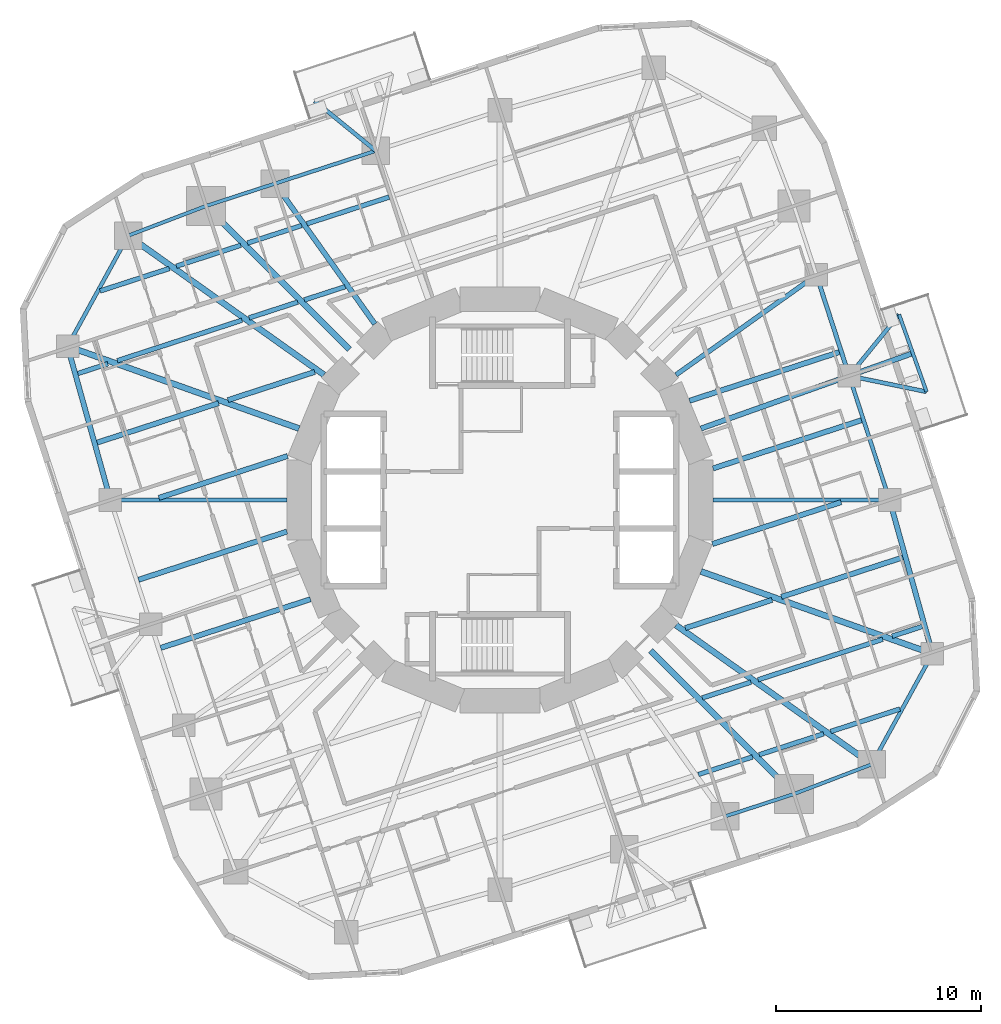
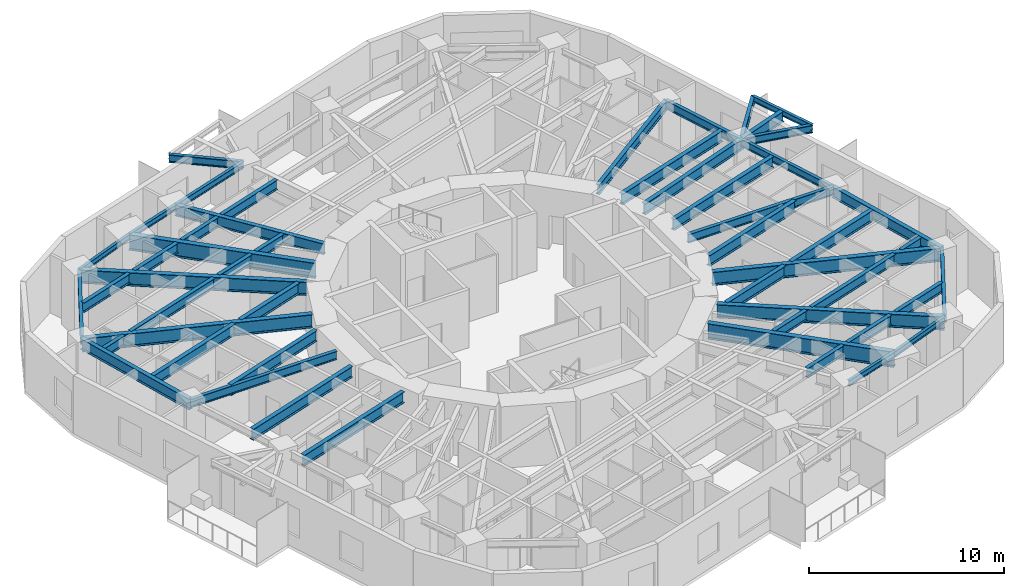
# One storey, part 2 of 12: 50 beams.
"""IFC4 building model written with IfcOpenShell, lengths in metres."""

from ifc_helpers import new_model, si_unit, direction, frame, origin, origin_2d, place, context, subcontext, project, spatial, i_section, extrude, material, material_profile, profile_set, type_object, element, save


model = new_model("IFC4")

# Units and contexts
model_context = context("Model", 3, precision=1e-05, world=origin(), true_north=direction((0.0, 1.0)))
body_context = subcontext(model_context, "Body", "Model", "MODEL_VIEW")
ifc_project = project(units=[si_unit("LENGTHUNIT", "METRE"), si_unit("AREAUNIT", "SQUARE_METRE"), si_unit("VOLUMEUNIT", "CUBIC_METRE"), si_unit("PLANEANGLEUNIT", "RADIAN"), si_unit("MASSUNIT", "GRAM", prefix="KILO")], contexts=[model_context])

# Site, building, storey
site_placement = place(None, origin())
site = spatial("IfcSite", under=ifc_project, at=site_placement, CompositionType="ELEMENT")
building_placement = place(site_placement, origin())
building = spatial("IfcBuilding", under=site, at=building_placement, Name="Nakasero Lantern House", CompositionType="ELEMENT")
storey_placement = place(building_placement, frame((0.0, 0.0, 153.35009765625)))
storey = spatial("IfcBuildingStorey", under=building, at=storey_placement, Name="L37", CompositionType="ELEMENT", Elevation=153.35009765625)

# Beams
ifc_material_1 = material(Name="Steel S355", Category="steel")
ifc_material_profile_1 = material_profile(ifc_material_1, i_section(OverallWidth=0.199462890625, OverallDepth=0.491943359375, WebThickness=0.01806640625, FlangeThickness=0.031982421875, FilletRadius=0.01025390625, at=origin_2d()), Name="UB 457x191x161")
ifc_profile_set_1 = profile_set([ifc_material_profile_1], Name="Steel S355")
beam_type_1 = type_object("IfcBeamType", Name="Balcony splay beam UB 457x191x161", PredefinedType="BEAM", material=ifc_profile_set_1)
for number, where, z_axis, x_axis, name in (
    (1, (17.060546875, 6.06591796875, 3.40380859375), (0.632127727159, 0.774864205236, 0.0), (-0.774864205236, 0.632127727159, 0.0), "Balcony splay beam L38 B4-C04A"),
    (2, (17.060546875, 6.06591796875, 3.40380859375), (0.979420272605, -0.201831438605, 0.0), (0.201831438605, 0.979420272605, 0.0), "Balcony splay beam L38 B4-C04B"),
    (3, (-6.06591796875, 17.060546875, 3.40380859375), (-0.774864205236, 0.632127727159, 0.0), (-0.632127727159, -0.774864205236, 0.0), "Balcony splay beam L38 B4-C10A"),
):
    element("IfcBeam", number, at=place(storey_placement, frame(where, z_axis=z_axis, x_axis=x_axis)), inside=storey, type_object=beam_type_1, Name=name, PredefinedType="BEAM", context=body_context, shape_type="SweptSolid", body=[
        extrude(i_section(OverallWidth=0.199462890625, OverallDepth=0.491943359375, WebThickness=0.01806640625, FlangeThickness=0.031982421875, FilletRadius=0.01025390625, at=origin_2d()), origin(), (0.0, 0.0, 1.0), 3.858642578125),
    ])
ifc_material_2 = material(Name="Steel S355", Category="steel")
ifc_material_profile_2 = material_profile(ifc_material_2, i_section(OverallWidth=0.17138671875, OverallDepth=0.35498046875, WebThickness=0.00732421875, FlangeThickness=0.011474609375, FilletRadius=0.01025390625, at=origin_2d()), Name="UB 356x171x51")
ifc_profile_set_2 = profile_set([ifc_material_profile_2], Name="Steel S355")
beam_type_2 = type_object("IfcBeamType", Name="Balcony tie beam UB 356x171x51", PredefinedType="BEAM", material=ifc_profile_set_2)
beam_1_placement = place(storey_placement, frame((19.499755859375, 9.055908203125, 3.472412109375), z_axis=(0.335025321236, -0.942209124415, 0.0), x_axis=(0.942209124415, 0.335025321236, 0.0)))
element("IfcBeam", 4, at=beam_1_placement, inside=storey, type_object=beam_type_2, Name="Balcony tie beam L38 B4-C04", PredefinedType="BEAM", context=body_context, shape_type="SweptSolid", body=[
    extrude(i_section(OverallWidth=0.17138671875, OverallDepth=0.35498046875, WebThickness=0.00732421875, FlangeThickness=0.011474609375, FilletRadius=0.01025390625, at=origin_2d()), origin(), (0.0, 0.0, 1.0), 4.0),
])
ifc_material_3 = material(Name="Steel S355", Category="steel")
ifc_material_profile_3 = material_profile(ifc_material_3, i_section(OverallWidth=0.22900390625, OverallDepth=0.6123046875, WebThickness=0.011962890625, FlangeThickness=0.01953125, FilletRadius=0.0126953125, at=origin_2d()), Name="UB 610x229x125")
ifc_profile_set_3 = profile_set([ifc_material_profile_3], Name="Steel S355")
beam_type_3 = type_object("IfcBeamType", Name="Infill beam UB 610x229x125", PredefinedType="JOIST", material=ifc_profile_set_3)
beam_2_placement = place(storey_placement, frame((9.692626953125, -13.4111328125, 3.34375), z_axis=(0.951059855583, 0.309006716915, 0.0), x_axis=(-0.309006716915, 0.951059855583, 0.0)))
element("IfcBeam", 5, at=beam_2_placement, inside=storey, type_object=beam_type_3, Name="Infill beam L38 03.5", PredefinedType="JOIST", context=body_context, shape_type="SweptSolid", body=[
    extrude(i_section(OverallWidth=0.22900390625, OverallDepth=0.6123046875, WebThickness=0.011962890625, FlangeThickness=0.01953125, FilletRadius=0.0126953125, at=origin_2d()), origin(), (0.0, 0.0, 1.0), 2.78271484375),
])
beam_3_placement = place(storey_placement, frame((12.659423828125, -12.447265625, 3.34375), z_axis=(0.951057343237, 0.309014449297, 0.0), x_axis=(-0.309014449297, 0.951057343237, 0.0)))
element("IfcBeam", 6, at=beam_3_placement, inside=storey, type_object=beam_type_3, Name="Infill beam L38 03.6", PredefinedType="JOIST", context=body_context, shape_type="SweptSolid", body=[
    extrude(i_section(OverallWidth=0.22900390625, OverallDepth=0.6123046875, WebThickness=0.011962890625, FlangeThickness=0.01953125, FilletRadius=0.0126953125, at=origin_2d()), origin(), (0.0, 0.0, 1.0), 3.314208984375),
])
beam_4_placement = place(storey_placement, frame((16.15771484375, -11.310546875, 3.34375), z_axis=(0.951052231022, 0.309030182777, 0.0), x_axis=(-0.309030182777, 0.951052231022, 0.0)))
element("IfcBeam", 7, at=beam_4_placement, inside=storey, type_object=beam_type_3, Name="Infill beam L38 03.7", PredefinedType="JOIST", context=body_context, shape_type="SweptSolid", body=[
    extrude(i_section(OverallWidth=0.22900390625, OverallDepth=0.6123046875, WebThickness=0.011962890625, FlangeThickness=0.01953125, FilletRadius=0.0126953125, at=origin_2d()), origin(), (0.0, 0.0, 1.0), 3.555908203125),
])
beam_5_placement = place(storey_placement, frame((9.8818359375, -9.669677734375, 3.34375), z_axis=(0.95105846813, 0.30901098718, 0.0), x_axis=(-0.30901098718, 0.95105846813, 0.0)))
element("IfcBeam", 8, at=beam_5_placement, inside=storey, type_object=beam_type_3, Name="Infill beam L38 04.6", PredefinedType="JOIST", context=body_context, shape_type="SweptSolid", body=[
    extrude(i_section(OverallWidth=0.22900390625, OverallDepth=0.6123046875, WebThickness=0.011962890625, FlangeThickness=0.01953125, FilletRadius=0.0126953125, at=origin_2d()), origin(), (0.0, 0.0, 1.0), 2.499755859375),
])
beam_6_placement = place(storey_placement, frame((12.605712890625, -8.78466796875, 3.34375), z_axis=(0.951048625867, 0.309041277561, 0.0), x_axis=(-0.309041277561, 0.951048625867, 0.0)))
element("IfcBeam", 9, at=beam_6_placement, inside=storey, type_object=beam_type_3, Name="Infill beam L38 04.7", PredefinedType="JOIST", context=body_context, shape_type="SweptSolid", body=[
    extrude(i_section(OverallWidth=0.22900390625, OverallDepth=0.6123046875, WebThickness=0.011962890625, FlangeThickness=0.01953125, FilletRadius=0.0126953125, at=origin_2d()), origin(), (0.0, 0.0, 1.0), 6.408447265625),
])
for number, where, z_axis, x_axis, name in (
    (10, (19.156494140625, -6.656005859375, 3.34375), (0.95105845859, 0.309011016544, 0.0), (-0.309011016544, 0.95105845859, 0.0), "Infill beam L38 04.8"),
    (11, (-20.62548828125, 6.1787109375, 3.34375), (0.95105845859, 0.309011016544, 0.0), (-0.309011016544, 0.95105845859, 0.0), "Infill beam L38 11.1"),
):
    element("IfcBeam", number, at=place(storey_placement, frame(where, z_axis=z_axis, x_axis=x_axis)), inside=storey, type_object=beam_type_3, Name=name, PredefinedType="JOIST", context=body_context, shape_type="SweptSolid", body=[
        extrude(i_section(OverallWidth=0.22900390625, OverallDepth=0.6123046875, WebThickness=0.011962890625, FlangeThickness=0.01953125, FilletRadius=0.0126953125, at=origin_2d()), origin(), (0.0, 0.0, 1.0), 1.544677734375),
    ])
beam_7_placement = place(storey_placement, frame((-18.700439453125, 6.80419921875, 3.34375), z_axis=(0.951048625867, 0.309041277561, 0.0), x_axis=(-0.309041277561, 0.951048625867, 0.0)))
element("IfcBeam", 12, at=beam_7_placement, inside=storey, type_object=beam_type_3, Name="Infill beam L38 11.2", PredefinedType="JOIST", context=body_context, shape_type="SweptSolid", body=[
    extrude(i_section(OverallWidth=0.22900390625, OverallDepth=0.6123046875, WebThickness=0.011962890625, FlangeThickness=0.01953125, FilletRadius=0.0126953125, at=origin_2d()), origin(), (0.0, 0.0, 1.0), 6.408447265625),
])
beam_8_placement = place(storey_placement, frame((-12.25927734375, 8.897216796875, 3.34375), z_axis=(0.95105846813, 0.30901098718, 0.0), x_axis=(-0.30901098718, 0.95105846813, 0.0)))
element("IfcBeam", 13, at=beam_8_placement, inside=storey, type_object=beam_type_3, Name="Infill beam L38 11.3", PredefinedType="JOIST", context=body_context, shape_type="SweptSolid", body=[
    extrude(i_section(OverallWidth=0.22900390625, OverallDepth=0.6123046875, WebThickness=0.011962890625, FlangeThickness=0.01953125, FilletRadius=0.0126953125, at=origin_2d()), origin(), (0.0, 0.0, 1.0), 2.499755859375),
])
beam_9_placement = place(storey_placement, frame((-9.5615234375, 9.773681640625, 3.34375), z_axis=(0.951053739923, 0.30902553904, 0.0), x_axis=(-0.30902553904, 0.951053739923, 0.0)))
element("IfcBeam", 14, at=beam_9_placement, inside=storey, type_object=beam_type_3, Name="Infill beam L38 11.4", PredefinedType="JOIST", context=body_context, shape_type="SweptSolid", body=[
    extrude(i_section(OverallWidth=0.22900390625, OverallDepth=0.6123046875, WebThickness=0.011962890625, FlangeThickness=0.01953125, FilletRadius=0.0126953125, at=origin_2d()), origin(), (0.0, 0.0, 1.0), 2.09765625),
])
beam_10_placement = place(storey_placement, frame((-19.53955078125, 10.211669921875, 3.34375), z_axis=(0.951052231022, 0.309030182777, 0.0), x_axis=(-0.309030182777, 0.951052231022, 0.0)))
element("IfcBeam", 15, at=beam_10_placement, inside=storey, type_object=beam_type_3, Name="Infill beam L38 12.1", PredefinedType="JOIST", context=body_context, shape_type="SweptSolid", body=[
    extrude(i_section(OverallWidth=0.22900390625, OverallDepth=0.6123046875, WebThickness=0.011962890625, FlangeThickness=0.01953125, FilletRadius=0.0126953125, at=origin_2d()), origin(), (0.0, 0.0, 1.0), 3.555908203125),
])
beam_11_placement = place(storey_placement, frame((-15.8115234375, 11.423095703125, 3.34375), z_axis=(0.951057343237, 0.309014449297, 0.0), x_axis=(-0.309014449297, 0.951057343237, 0.0)))
element("IfcBeam", 16, at=beam_11_placement, inside=storey, type_object=beam_type_3, Name="Infill beam L38 12.2", PredefinedType="JOIST", context=body_context, shape_type="SweptSolid", body=[
    extrude(i_section(OverallWidth=0.22900390625, OverallDepth=0.6123046875, WebThickness=0.011962890625, FlangeThickness=0.01953125, FilletRadius=0.0126953125, at=origin_2d()), origin(), (0.0, 0.0, 1.0), 3.314208984375),
])
beam_12_placement = place(storey_placement, frame((-12.339111328125, 12.55126953125, 3.34375), z_axis=(0.951059855583, 0.309006716915, 0.0), x_axis=(-0.309006716915, 0.951059855583, 0.0)))
element("IfcBeam", 17, at=beam_12_placement, inside=storey, type_object=beam_type_3, Name="Infill beam L38 12.3", PredefinedType="JOIST", context=body_context, shape_type="SweptSolid", body=[
    extrude(i_section(OverallWidth=0.22900390625, OverallDepth=0.6123046875, WebThickness=0.011962890625, FlangeThickness=0.01953125, FilletRadius=0.0126953125, at=origin_2d()), origin(), (0.0, 0.0, 1.0), 2.78271484375),
])
beam_13_placement = place(storey_placement, frame((-9.439697265625, 13.493408203125, 3.34375), z_axis=(0.951057398427, 0.30901427944, 0.0), x_axis=(-0.30901427944, 0.951057398427, 0.0)))
element("IfcBeam", 18, at=beam_13_placement, inside=storey, type_object=beam_type_3, Name="Infill beam L38 12.4", PredefinedType="JOIST", context=body_context, shape_type="SweptSolid", body=[
    extrude(i_section(OverallWidth=0.22900390625, OverallDepth=0.6123046875, WebThickness=0.011962890625, FlangeThickness=0.01953125, FilletRadius=0.0126953125, at=origin_2d()), origin(), (0.0, 0.0, 1.0), 4.229248046875),
])
ifc_material_4 = material(Name="Steel S355", Category="steel")
ifc_material_profile_4 = material_profile(ifc_material_4, i_section(OverallWidth=0.253662109375, OverallDepth=0.68359375, WebThickness=0.012451171875, FlangeThickness=0.01904296875, FilletRadius=0.01513671875, at=origin_2d()), Name="UB 686x254x140")
ifc_profile_set_4 = profile_set([ifc_material_profile_4], Name="Steel S355")
beam_type_4 = type_object("IfcBeamType", Name="Infill beam UB 686x254x140", PredefinedType="JOIST", material=ifc_profile_set_4)
beam_14_placement = place(storey_placement, frame((9.053466796875, -6.258544921875, 3.30810546875), z_axis=(0.951065863794, 0.308988224251, 0.0), x_axis=(-0.308988224251, 0.951065863794, 0.0)))
element("IfcBeam", 19, at=beam_14_placement, inside=storey, type_object=beam_type_4, Name="Infill beam L38 05.3", PredefinedType="JOIST", context=body_context, shape_type="SweptSolid", body=[
    extrude(i_section(OverallWidth=0.253662109375, OverallDepth=0.68359375, WebThickness=0.012451171875, FlangeThickness=0.01904296875, FilletRadius=0.01513671875, at=origin_2d()), origin(), (0.0, 0.0, 1.0), 4.45703125),
])
beam_15_placement = place(storey_placement, frame((13.74853515625, -4.733154296875, 3.30810546875), z_axis=(0.951058217804, 0.30901175762, 0.0), x_axis=(-0.30901175762, 0.951058217804, 0.0)))
element("IfcBeam", 20, at=beam_15_placement, inside=storey, type_object=beam_type_4, Name="Infill beam L38 05.4", PredefinedType="JOIST", context=body_context, shape_type="SweptSolid", body=[
    extrude(i_section(OverallWidth=0.253662109375, OverallDepth=0.68359375, WebThickness=0.012451171875, FlangeThickness=0.01904296875, FilletRadius=0.01513671875, at=origin_2d()), origin(), (0.0, 0.0, 1.0), 6.239990234375),
])
for number, where, z_axis, x_axis, name in (
    (21, (10.375244140625, -2.149169921875, 3.30810546875), (0.951051425994, 0.309032660271, 0.0), (-0.309032660271, 0.951051425994, 0.0), "Infill beam L38 06.2"),
    (22, (-16.666259765625, 0.10498046875, 3.30810546875), (0.951051425994, 0.309032660271, 0.0), (-0.309032660271, 0.951051425994, 0.0), "Infill beam L38 09.1"),
):
    element("IfcBeam", number, at=place(storey_placement, frame(where, z_axis=z_axis, x_axis=x_axis)), inside=storey, type_object=beam_type_4, Name=name, PredefinedType="JOIST", context=body_context, shape_type="SweptSolid", body=[
        extrude(i_section(OverallWidth=0.253662109375, OverallDepth=0.68359375, WebThickness=0.012451171875, FlangeThickness=0.01904296875, FilletRadius=0.01513671875, at=origin_2d()), origin(), (0.0, 0.0, 1.0), 6.61474609375),
    ])
beam_16_placement = place(storey_placement, frame((-19.68310546875, 2.804931640625, 3.30810546875), z_axis=(0.951058217804, 0.30901175762, 0.0), x_axis=(-0.30901175762, 0.951058217804, 0.0)))
element("IfcBeam", 23, at=beam_16_placement, inside=storey, type_object=beam_type_4, Name="Infill beam L38 10.1", PredefinedType="JOIST", context=body_context, shape_type="SweptSolid", body=[
    extrude(i_section(OverallWidth=0.253662109375, OverallDepth=0.68359375, WebThickness=0.012451171875, FlangeThickness=0.01904296875, FilletRadius=0.01513671875, at=origin_2d()), origin(), (0.0, 0.0, 1.0), 6.239990234375),
])
beam_17_placement = place(storey_placement, frame((-13.29248046875, 4.88134765625, 3.30810546875), z_axis=(0.951065863794, 0.308988224251, 0.0), x_axis=(-0.308988224251, 0.951065863794, 0.0)))
element("IfcBeam", 24, at=beam_17_placement, inside=storey, type_object=beam_type_4, Name="Infill beam L38 10.2", PredefinedType="JOIST", context=body_context, shape_type="SweptSolid", body=[
    extrude(i_section(OverallWidth=0.253662109375, OverallDepth=0.68359375, WebThickness=0.012451171875, FlangeThickness=0.01904296875, FilletRadius=0.01513671875, at=origin_2d()), origin(), (0.0, 0.0, 1.0), 4.45703125),
])
ifc_material_5 = material(Name="Steel S355", Category="steel")
ifc_material_profile_5 = material_profile(ifc_material_5, i_section(OverallWidth=0.255859375, OverallDepth=0.69287109375, WebThickness=0.014404296875, FlangeThickness=0.023681640625, FilletRadius=0.01513671875, at=origin_2d()), Name="UB 686x254x170")
ifc_profile_set_5 = profile_set([ifc_material_profile_5], Name="Steel S355")
beam_type_5 = type_object("IfcBeamType", Name="Infill beam UB 686x254x170", PredefinedType="JOIST", material=ifc_profile_set_5)
beam_18_placement = place(storey_placement, frame((-16.573486328125, -7.22509765625, 3.303466796875), z_axis=(0.951055290106, 0.309020768171, 0.0), x_axis=(-0.309020768171, 0.951055290106, 0.0)))
element("IfcBeam", 25, at=beam_18_placement, inside=storey, type_object=beam_type_5, Name="Infill beam L38 07.1", PredefinedType="JOIST", context=body_context, shape_type="SweptSolid", body=[
    extrude(i_section(OverallWidth=0.255859375, OverallDepth=0.69287109375, WebThickness=0.014404296875, FlangeThickness=0.023681640625, FilletRadius=0.01513671875, at=origin_2d()), origin(), (0.0, 0.0, 1.0), 7.692626953125),
])
for number, where, z_axis, x_axis, name in (
    (26, (10.407958984375, 1.541748046875, 3.303466796875), (0.95106204683, 0.308999972622, 0.0), (-0.308999972622, 0.95106204683, 0.0), "Infill beam L38 07.2"),
    (27, (-17.66455078125, -3.8994140625, 3.303466796875), (0.95106204683, 0.308999972622, 0.0), (-0.308999972622, 0.95106204683, 0.0), "Infill beam L38 08.1"),
):
    element("IfcBeam", number, at=place(storey_placement, frame(where, z_axis=z_axis, x_axis=x_axis)), inside=storey, type_object=beam_type_5, Name=name, PredefinedType="JOIST", context=body_context, shape_type="SweptSolid", body=[
        extrude(i_section(OverallWidth=0.255859375, OverallDepth=0.69287109375, WebThickness=0.014404296875, FlangeThickness=0.023681640625, FilletRadius=0.01513671875, at=origin_2d()), origin(), (0.0, 0.0, 1.0), 7.6298828125),
    ])
beam_19_placement = place(storey_placement, frame((9.25732421875, 4.847900390625, 3.303466796875), z_axis=(0.951055290106, 0.309020768171, 0.0), x_axis=(-0.309020768171, 0.951055290106, 0.0)))
element("IfcBeam", 28, at=beam_19_placement, inside=storey, type_object=beam_type_5, Name="Infill beam L38 08.2", PredefinedType="JOIST", context=body_context, shape_type="SweptSolid", body=[
    extrude(i_section(OverallWidth=0.255859375, OverallDepth=0.69287109375, WebThickness=0.014404296875, FlangeThickness=0.023681640625, FilletRadius=0.01513671875, at=origin_2d()), origin(), (0.0, 0.0, 1.0), 7.692626953125),
])
ifc_material_6 = material(Name="Steel S355", Category="steel")
ifc_material_profile_6 = material_profile(ifc_material_6, i_section(OverallWidth=0.300048828125, OverallDepth=0.97021484375, WebThickness=0.01611328125, FlangeThickness=0.02099609375, FilletRadius=0.030029296875, at=origin_2d()), Name="UB 1016x305x222")
ifc_profile_set_6 = profile_set([ifc_material_profile_6], Name="Steel S355")
beam_type_6 = type_object("IfcBeamType", Name="Primary beam UB 1016x305x222, span 9 to 12 m", PredefinedType="BEAM", material=ifc_profile_set_6)
for number, where, z_axis, x_axis, name in (
    (29, (-14.3642578125, 14.3642578125, 3.164794921875), (0.707106781187, -0.707106781187, 0.0), (0.707106781187, 0.707106781187, 0.0), "Primary beam L38 B4-C12"),
    (30, (14.3642578125, -14.3642578125, 3.164794921875), (-0.707106781187, 0.707106781187, 0.0), (-0.707106781187, -0.707106781187, 0.0), "Primary beam L38 B4-C24"),
):
    element("IfcBeam", number, at=place(storey_placement, frame(where, z_axis=z_axis, x_axis=x_axis)), inside=storey, type_object=beam_type_6, Name=name, PredefinedType="BEAM", context=body_context, shape_type="SweptSolid", body=[
        extrude(i_section(OverallWidth=0.300048828125, OverallDepth=0.97021484375, WebThickness=0.01611328125, FlangeThickness=0.02099609375, FilletRadius=0.030029296875, at=origin_2d()), origin(), (0.0, 0.0, 1.0), 9.906494140625),
    ])
ifc_material_7 = material(Name="Steel S355", Category="steel")
ifc_material_profile_7 = material_profile(ifc_material_7, i_section(OverallWidth=0.2099609375, OverallDepth=0.53662109375, WebThickness=0.0107421875, FlangeThickness=0.017333984375, FilletRadius=0.0126953125, at=origin_2d()), Name="UB 533x210x101")
ifc_profile_set_7 = profile_set([ifc_material_profile_7], Name="Steel S355")
beam_type_7 = type_object("IfcBeamType", Name="Primary beam UB 533x210x101, span 6 to 9 m", PredefinedType="BEAM", material=ifc_profile_set_7)
for number, where, z_axis, x_axis, name in (
    (31, (19.031494140625, 0.0, 3.381591796875), (-1.0, 0.0, 0.0), (0.0, -1.0, 0.0), "Primary beam L38 B4-C03"),
    (32, (-19.031494140625, 0.0, 3.381591796875), (1.0, 0.0, 0.0), (0.0, 1.0, 0.0), "Primary beam L38 B4-C15"),
):
    element("IfcBeam", number, at=place(storey_placement, frame(where, z_axis=z_axis, x_axis=x_axis)), inside=storey, type_object=beam_type_7, Name=name, PredefinedType="BEAM", context=body_context, shape_type="SweptSolid", body=[
        extrude(i_section(OverallWidth=0.2099609375, OverallDepth=0.53662109375, WebThickness=0.0107421875, FlangeThickness=0.017333984375, FilletRadius=0.0126953125, at=origin_2d()), origin(), (0.0, 0.0, 1.0), 8.62353515625),
    ])
ifc_material_8 = material(Name="Steel S355", Category="steel")
ifc_material_profile_8 = material_profile(ifc_material_8, i_section(OverallWidth=0.22900390625, OverallDepth=0.6123046875, WebThickness=0.011962890625, FlangeThickness=0.01953125, FilletRadius=0.0126953125, at=origin_2d()), Name="UB 610x229x125")
ifc_profile_set_8 = profile_set([ifc_material_profile_8], Name="Steel S355")
beam_type_8 = type_object("IfcBeamType", Name="Primary beam UB 610x229x125, span 6 to 9 m", PredefinedType="BEAM", material=ifc_profile_set_8)
beam_20_placement = place(storey_placement, frame((15.45947265625, 10.993408203125, 3.34375), z_axis=(-0.81495106139, -0.579529781409, 0.0), x_axis=(0.579529781409, -0.81495106139, 0.0)))
element("IfcBeam", 33, at=beam_20_placement, inside=storey, type_object=beam_type_8, Name="Primary beam L38 B4-C05", PredefinedType="BEAM", context=body_context, shape_type="SweptSolid", body=[
    extrude(i_section(OverallWidth=0.22900390625, OverallDepth=0.6123046875, WebThickness=0.011962890625, FlangeThickness=0.01953125, FilletRadius=0.0126953125, at=origin_2d()), origin(), (0.0, 0.0, 1.0), 8.41455078125),
])
ifc_material_9 = material(Name="Steel S355", Category="steel")
ifc_material_profile_9 = material_profile(ifc_material_9, i_section(OverallWidth=0.253662109375, OverallDepth=0.68359375, WebThickness=0.012451171875, FlangeThickness=0.01904296875, FilletRadius=0.01513671875, at=origin_2d()), Name="UB 686x254x140")
ifc_profile_set_9 = profile_set([ifc_material_profile_9], Name="Steel S355")
beam_type_9 = type_object("IfcBeamType", Name="Primary beam UB 686x254x140, span 6 to 9 m", PredefinedType="BEAM", material=ifc_profile_set_9)
beam_21_placement = place(storey_placement, frame((20.169921875, 7.17138671875, 3.30810546875), z_axis=(-0.942215625619, -0.335007036998, 0.0), x_axis=(0.335007036998, -0.942215625619, 0.0)))
element("IfcBeam", 34, at=beam_21_placement, inside=storey, type_object=beam_type_9, Name="Primary beam L38 B4-C04", PredefinedType="BEAM", context=body_context, shape_type="SweptSolid", body=[
    extrude(i_section(OverallWidth=0.253662109375, OverallDepth=0.68359375, WebThickness=0.012451171875, FlangeThickness=0.01904296875, FilletRadius=0.01513671875, at=origin_2d()), origin(), (0.0, 0.0, 1.0), 10.9853515625),
])
beam_22_placement = place(storey_placement, frame((-10.993408203125, 15.45947265625, 3.30810546875), z_axis=(0.579529781409, -0.81495106139, 0.0), x_axis=(0.81495106139, 0.579529781409, 0.0)))
element("IfcBeam", 35, at=beam_22_placement, inside=storey, type_object=beam_type_9, Name="Primary beam L38 B4-C11", PredefinedType="BEAM", context=body_context, shape_type="SweptSolid", body=[
    extrude(i_section(OverallWidth=0.253662109375, OverallDepth=0.68359375, WebThickness=0.012451171875, FlangeThickness=0.01904296875, FilletRadius=0.01513671875, at=origin_2d()), origin(), (0.0, 0.0, 1.0), 8.41455078125),
])
ifc_material_10 = material(Name="Steel S355", Category="steel")
ifc_material_profile_10 = material_profile(ifc_material_10, i_section(OverallWidth=0.29248046875, OverallDepth=0.8408203125, WebThickness=0.0146484375, FlangeThickness=0.02685546875, FilletRadius=0.017822265625, at=origin_2d()), Name="UB 838x292x194")
ifc_profile_set_10 = profile_set([ifc_material_profile_10], Name="Steel S355")
beam_type_10 = type_object("IfcBeamType", Name="Primary beam UB 838x292x194, span 12 to 15 m", PredefinedType="BEAM", material=ifc_profile_set_10)
for number, where, z_axis, x_axis, name in (
    (36, (21.129638671875, -7.5126953125, 3.2294921875), (-0.942213548974, 0.335012877559, 0.0), (-0.335012877559, -0.942213548974, 0.0), "Primary beam L38 B4-C02"),
    (37, (-21.129638671875, 7.5126953125, 3.2294921875), (0.942213548974, -0.335012877559, 0.0), (0.335012877559, 0.942213548974, 0.0), "Primary beam L38 B4-C14"),
):
    element("IfcBeam", number, at=place(storey_placement, frame(where, z_axis=z_axis, x_axis=x_axis)), inside=storey, type_object=beam_type_10, Name=name, PredefinedType="BEAM", context=body_context, shape_type="SweptSolid", body=[
        extrude(i_section(OverallWidth=0.29248046875, OverallDepth=0.8408203125, WebThickness=0.0146484375, FlangeThickness=0.02685546875, FilletRadius=0.017822265625, at=origin_2d()), origin(), (0.0, 0.0, 1.0), 12.00390625),
    ])
ifc_material_11 = material(Name="Steel S355", Category="steel")
ifc_material_profile_11 = material_profile(ifc_material_11, i_section(OverallWidth=0.29248046875, OverallDepth=0.8408203125, WebThickness=0.0146484375, FlangeThickness=0.02685546875, FilletRadius=0.017822265625, at=origin_2d()), Name="UB 838x292x194")
ifc_profile_set_11 = profile_set([ifc_material_profile_11], Name="Steel S355")
beam_type_11 = type_object("IfcBeamType", Name="Primary beam UB 838x292x194, span 9 to 12 m", PredefinedType="BEAM", material=ifc_profile_set_11)
for number, where, z_axis, x_axis, name in (
    (38, (18.1630859375, -12.916015625, 3.2294921875), (-0.814950738075, 0.579530236062, 0.0), (-0.579530236062, -0.814950738075, 0.0), "Primary beam L38 B4-C01"),
    (39, (-18.1630859375, 12.916015625, 3.2294921875), (0.814950738075, -0.579530236062, 0.0), (0.579530236062, 0.814950738075, 0.0), "Primary beam L38 B4-C13"),
):
    element("IfcBeam", number, at=place(storey_placement, frame(where, z_axis=z_axis, x_axis=x_axis)), inside=storey, type_object=beam_type_11, Name=name, PredefinedType="BEAM", context=body_context, shape_type="SweptSolid", body=[
        extrude(i_section(OverallWidth=0.29248046875, OverallDepth=0.8408203125, WebThickness=0.0146484375, FlangeThickness=0.02685546875, FilletRadius=0.017822265625, at=origin_2d()), origin(), (0.0, 0.0, 1.0), 11.73193359375),
    ])
ifc_material_12 = material(Name="Steel S355", Category="steel")
ifc_material_profile_12 = material_profile(ifc_material_12, i_section(OverallWidth=0.17138671875, OverallDepth=0.35498046875, WebThickness=0.00732421875, FlangeThickness=0.011474609375, FilletRadius=0.01025390625, at=origin_2d()), Name="UB 356x171x51")
ifc_profile_set_12 = profile_set([ifc_material_profile_12], Name="Steel S355")
beam_type_12 = type_object("IfcBeamType", Name="Ring beam UB 356x171x51", PredefinedType="BEAM", material=ifc_profile_set_12)
beam_23_placement = place(storey_placement, frame((-10.993408203125, 15.45947265625, 3.472412109375), z_axis=(-0.951059881727, -0.309006636447, 0.0), x_axis=(0.309006636447, -0.951059881727, 0.0)))
element("IfcBeam", 40, at=beam_23_placement, inside=storey, type_object=beam_type_12, Name="Ring beam L38 B4-C11", PredefinedType="BEAM", context=body_context, shape_type="SweptSolid", body=[
    extrude(i_section(OverallWidth=0.17138671875, OverallDepth=0.35498046875, WebThickness=0.00732421875, FlangeThickness=0.011474609375, FilletRadius=0.01025390625, at=origin_2d()), origin(), (0.0, 0.0, 1.0), 3.544189453125),
])
beam_24_placement = place(storey_placement, frame((-14.3642578125, 14.3642578125, 3.472412109375), z_axis=(-0.934400186194, -0.35622505813, 0.0), x_axis=(0.35622505813, -0.934400186194, 0.0)))
element("IfcBeam", 41, at=beam_24_placement, inside=storey, type_object=beam_type_12, Name="Ring beam L38 B4-C12", PredefinedType="BEAM", context=body_context, shape_type="SweptSolid", body=[
    extrude(i_section(OverallWidth=0.17138671875, OverallDepth=0.35498046875, WebThickness=0.00732421875, FlangeThickness=0.011474609375, FilletRadius=0.01025390625, at=origin_2d()), origin(), (0.0, 0.0, 1.0), 4.0654296875),
])
beam_25_placement = place(storey_placement, frame((10.993408203125, -15.45947265625, 3.472412109375), z_axis=(0.951059881727, 0.309006636447, 0.0), x_axis=(-0.309006636447, 0.951059881727, 0.0)))
element("IfcBeam", 42, at=beam_25_placement, inside=storey, type_object=beam_type_12, Name="Ring beam L38 B4-C23", PredefinedType="BEAM", context=body_context, shape_type="SweptSolid", body=[
    extrude(i_section(OverallWidth=0.17138671875, OverallDepth=0.35498046875, WebThickness=0.00732421875, FlangeThickness=0.011474609375, FilletRadius=0.01025390625, at=origin_2d()), origin(), (0.0, 0.0, 1.0), 3.544189453125),
])
beam_26_placement = place(storey_placement, frame((14.3642578125, -14.3642578125, 3.472412109375), z_axis=(0.934400186194, 0.35622505813, 0.0), x_axis=(-0.35622505813, 0.934400186194, 0.0)))
element("IfcBeam", 43, at=beam_26_placement, inside=storey, type_object=beam_type_12, Name="Ring beam L38 B4-C24", PredefinedType="BEAM", context=body_context, shape_type="SweptSolid", body=[
    extrude(i_section(OverallWidth=0.17138671875, OverallDepth=0.35498046875, WebThickness=0.00732421875, FlangeThickness=0.011474609375, FilletRadius=0.01025390625, at=origin_2d()), origin(), (0.0, 0.0, 1.0), 4.0654296875),
])
ifc_material_13 = material(Name="Steel S355", Category="steel")
ifc_material_profile_13 = material_profile(ifc_material_13, i_section(OverallWidth=0.177978515625, OverallDepth=0.406494140625, WebThickness=0.0078125, FlangeThickness=0.0126953125, FilletRadius=0.01025390625, at=origin_2d()), Name="UB 406x178x60")
ifc_profile_set_13 = profile_set([ifc_material_profile_13], Name="Steel S355")
beam_type_13 = type_object("IfcBeamType", Name="Ring beam UB 406x178x60", PredefinedType="BEAM", material=ifc_profile_set_13)
beam_27_placement = place(storey_placement, frame((-6.06591796875, 17.060546875, 3.44677734375), z_axis=(-0.95105449754, -0.309023207396, 0.0), x_axis=(0.309023207396, -0.95105449754, 0.0)))
element("IfcBeam", 44, at=beam_27_placement, inside=storey, type_object=beam_type_13, Name="Ring beam L38 B4-C10", PredefinedType="BEAM", context=body_context, shape_type="SweptSolid", body=[
    extrude(i_section(OverallWidth=0.177978515625, OverallDepth=0.406494140625, WebThickness=0.0078125, FlangeThickness=0.0126953125, FilletRadius=0.01025390625, at=origin_2d()), origin(), (0.0, 0.0, 1.0), 5.18115234375),
])
ifc_material_14 = material(Name="Steel S355", Category="steel")
ifc_material_profile_14 = material_profile(ifc_material_14, i_section(OverallWidth=0.18994140625, OverallDepth=0.453369140625, WebThickness=0.008544921875, FlangeThickness=0.0126953125, FilletRadius=0.01025390625, at=origin_2d()), Name="UB 457x191x67")
ifc_profile_set_14 = profile_set([ifc_material_profile_14], Name="Steel S355")
beam_type_14 = type_object("IfcBeamType", Name="Ring beam UB 457x191x67", PredefinedType="BEAM", material=ifc_profile_set_14)
beam_28_placement = place(storey_placement, frame((18.1630859375, -12.916015625, 3.423095703125), z_axis=(0.481261795861, 0.876576912681, 0.0), x_axis=(-0.876576912681, 0.481261795861, 0.0)))
element("IfcBeam", 45, at=beam_28_placement, inside=storey, type_object=beam_type_14, Name="Ring beam L38 B4-C01", PredefinedType="BEAM", context=body_context, shape_type="SweptSolid", body=[
    extrude(i_section(OverallWidth=0.18994140625, OverallDepth=0.453369140625, WebThickness=0.008544921875, FlangeThickness=0.0126953125, FilletRadius=0.01025390625, at=origin_2d()), origin(), (0.0, 0.0, 1.0), 6.1640625),
])
beam_29_placement = place(storey_placement, frame((19.031494140625, 0.0, 3.423095703125), z_axis=(-0.309018560274, 0.951056007502, 0.0), x_axis=(-0.951056007502, -0.309018560274, 0.0)))
element("IfcBeam", 46, at=beam_29_placement, inside=storey, type_object=beam_type_14, Name="Ring beam L38 B4-C03", PredefinedType="BEAM", context=body_context, shape_type="SweptSolid", body=[
    extrude(i_section(OverallWidth=0.18994140625, OverallDepth=0.453369140625, WebThickness=0.008544921875, FlangeThickness=0.0126953125, FilletRadius=0.01025390625, at=origin_2d()), origin(), (0.0, 0.0, 1.0), 6.378173828125),
])
beam_30_placement = place(storey_placement, frame((-18.1630859375, 12.916015625, 3.423095703125), z_axis=(-0.481261795861, -0.876576912681, 0.0), x_axis=(0.876576912681, -0.481261795861, 0.0)))
element("IfcBeam", 47, at=beam_30_placement, inside=storey, type_object=beam_type_14, Name="Ring beam L38 B4-C13", PredefinedType="BEAM", context=body_context, shape_type="SweptSolid", body=[
    extrude(i_section(OverallWidth=0.18994140625, OverallDepth=0.453369140625, WebThickness=0.008544921875, FlangeThickness=0.0126953125, FilletRadius=0.01025390625, at=origin_2d()), origin(), (0.0, 0.0, 1.0), 6.1640625),
])
ifc_material_15 = material(Name="Steel S355", Category="steel")
ifc_material_profile_15 = material_profile(ifc_material_15, i_section(OverallWidth=0.2099609375, OverallDepth=0.53662109375, WebThickness=0.0107421875, FlangeThickness=0.017333984375, FilletRadius=0.0126953125, at=origin_2d()), Name="UB 533x210x101")
ifc_profile_set_15 = profile_set([ifc_material_profile_15], Name="Steel S355")
beam_type_15 = type_object("IfcBeamType", Name="Ring beam UB 533x210x101", PredefinedType="BEAM", material=ifc_profile_set_15)
beam_31_placement = place(storey_placement, frame((17.060546875, 6.06591796875, 3.381591796875), z_axis=(-0.309023207396, 0.95105449754, 0.0), x_axis=(-0.95105449754, -0.309023207396, 0.0)))
element("IfcBeam", 48, at=beam_31_placement, inside=storey, type_object=beam_type_15, Name="Ring beam L38 B4-C04", PredefinedType="BEAM", context=body_context, shape_type="SweptSolid", body=[
    extrude(i_section(OverallWidth=0.2099609375, OverallDepth=0.53662109375, WebThickness=0.0107421875, FlangeThickness=0.017333984375, FilletRadius=0.0126953125, at=origin_2d()), origin(), (0.0, 0.0, 1.0), 5.18115234375),
])
ifc_material_16 = material(Name="Steel S355", Category="steel")
ifc_material_profile_16 = material_profile(ifc_material_16, i_section(OverallWidth=0.253662109375, OverallDepth=0.68359375, WebThickness=0.012451171875, FlangeThickness=0.01904296875, FilletRadius=0.01513671875, at=origin_2d()), Name="UB 686x254x140")
ifc_profile_set_16 = profile_set([ifc_material_profile_16], Name="Steel S355")
beam_type_16 = type_object("IfcBeamType", Name="Ring beam UB 686x254x140", PredefinedType="BEAM", material=ifc_profile_set_16)
for number, where, z_axis, x_axis, name in (
    (49, (21.129638671875, -7.5126953125, 3.30810546875), (-0.268986696047, 0.963143892339, 0.0), (-0.963143892339, -0.268986696047, 0.0), "Ring beam L38 B4-C02"),
    (50, (-21.129638671875, 7.5126953125, 3.30810546875), (0.268986696047, -0.963143892339, 0.0), (0.963143892339, 0.268986696047, 0.0), "Ring beam L38 B4-C14"),
):
    element("IfcBeam", number, at=place(storey_placement, frame(where, z_axis=z_axis, x_axis=x_axis)), inside=storey, type_object=beam_type_16, Name=name, PredefinedType="BEAM", context=body_context, shape_type="SweptSolid", body=[
        extrude(i_section(OverallWidth=0.253662109375, OverallDepth=0.68359375, WebThickness=0.012451171875, FlangeThickness=0.01904296875, FilletRadius=0.01513671875, at=origin_2d()), origin(), (0.0, 0.0, 1.0), 7.80029296875),
    ])

save(model, "model.ifc")
